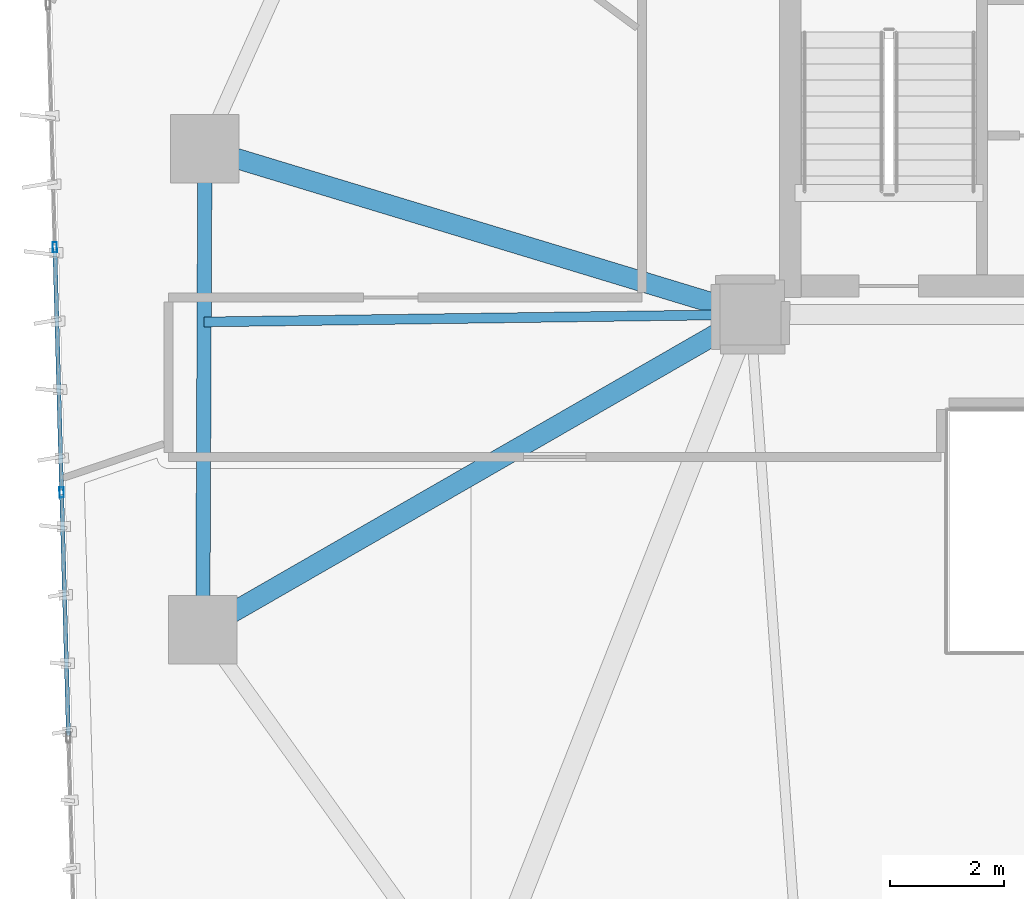
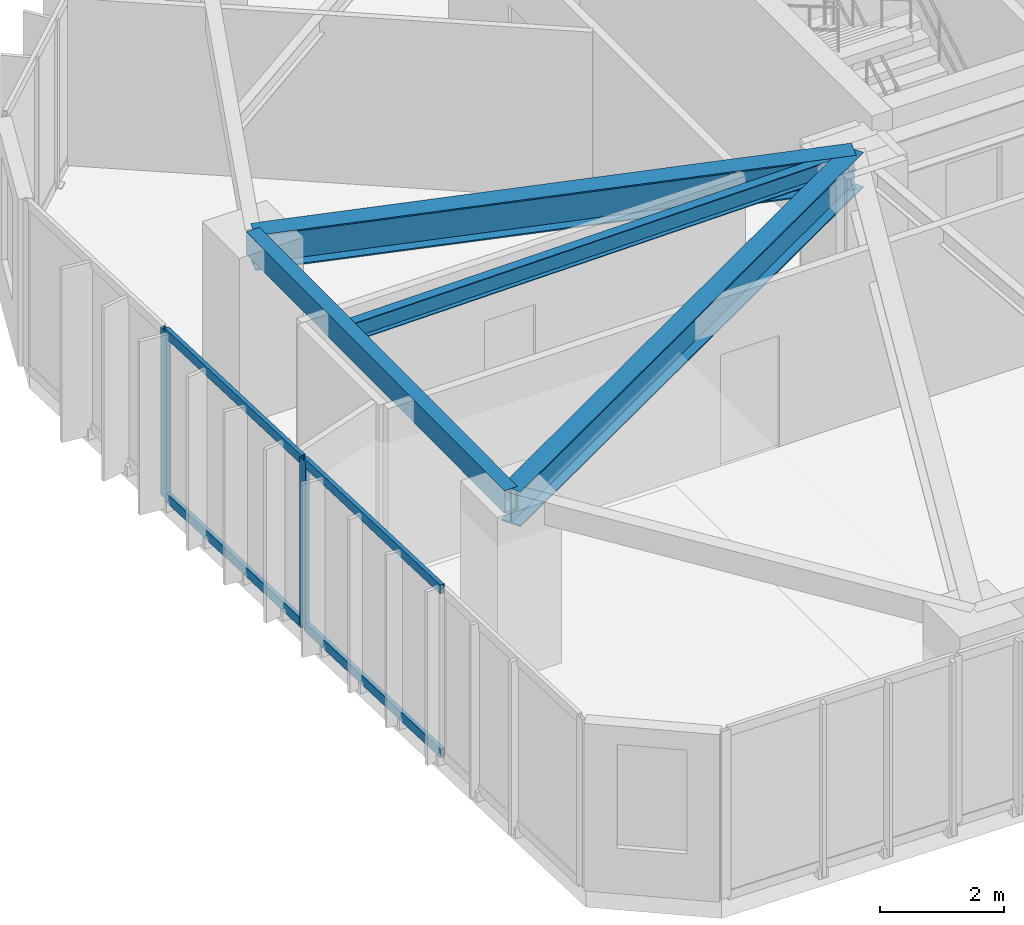
# One storey, part 4 of 22: 6 members, 4 beams, 1 element without a shape of its own.
"""IFC4 building model written with IfcOpenShell, lengths in metres."""

from ifc_helpers import new_model, si_unit, direction, frame, origin, origin_2d, place, context, subcontext, project, spatial, hollow_rectangle, i_section, extrude, source, transform, mapped, material, layer, layer_set, material_profile, profile_set, type_object, type_shapes, element, aggregate, save


model = new_model("IFC4")

# Units and contexts
model_context = context("Model", 3, precision=1e-05, world=origin(), true_north=direction((0.0, 1.0)))
body_context = subcontext(model_context, "Body", "Model", "MODEL_VIEW")
ifc_project = project(units=[si_unit("LENGTHUNIT", "METRE"), si_unit("AREAUNIT", "SQUARE_METRE"), si_unit("VOLUMEUNIT", "CUBIC_METRE"), si_unit("PLANEANGLEUNIT", "RADIAN"), si_unit("MASSUNIT", "GRAM", prefix="KILO")], contexts=[model_context])

# Site, building, storey
site_placement = place(None, origin())
site = spatial("IfcSite", under=ifc_project, at=site_placement, CompositionType="ELEMENT")
building_placement = place(site_placement, origin())
building = spatial("IfcBuilding", under=site, at=building_placement, Name="Talar Marvaseh", CompositionType="ELEMENT")
storey_placement = place(building_placement, frame((0.0, 0.0, 89.39990234375)))
storey = spatial("IfcBuildingStorey", under=building, at=storey_placement, Name="L22", CompositionType="ELEMENT", Elevation=89.39990234375)

# Beams
ifc_material_1 = material(Name="Steel S355", Category="steel")
ifc_material_profile_1 = material_profile(ifc_material_1, hollow_rectangle(XDim=0.25, YDim=0.449951171875, WallThickness=0.01611328125, at=origin_2d()), Name="RHS450x250x16")
ifc_profile_set_1 = profile_set([ifc_material_profile_1], Name="Steel S355")
beam_type_1 = type_object("IfcBeamType", Name="Zone 2 Perimeter Spandrel Beam RHS450x250x16", PredefinedType="SPANDREL", material=ifc_profile_set_1)
beam_1_placement = place(storey_placement, frame((9.10107421875, 19.97705078125, 3.085205078125), z_axis=(0.004375628226, 0.999990426893, 0.0), x_axis=(-0.999990426893, 0.004375628226, 0.0)))
element("IfcBeam", 1, at=beam_1_placement, inside=storey, type_object=beam_type_1, Name="L22 Zone 2 Perimeter Spandrel Beam RHS450x250x16", PredefinedType="SPANDREL", context=body_context, shape_type="SweptSolid", body=[
    extrude(hollow_rectangle(XDim=0.25, YDim=0.449951171875, WallThickness=0.01611328125, at=origin_2d()), origin(), (0.0, 0.0, 1.0), 8.425048828125),
])
ifc_material_profile_2 = material_profile(ifc_material_1, i_section(OverallWidth=0.35498046875, OverallDepth=0.695068359375, WebThickness=0.015380859375, FlangeThickness=0.02490234375, at=origin_2d()), Name="W690x217")
ifc_profile_set_2 = profile_set([ifc_material_profile_2], Name="Steel S355")
beam_type_2 = type_object("IfcBeamType", Name="Zone 2 Radial Floor Girder W690x217", PredefinedType="BEAM", material=ifc_profile_set_2)
beam_2_placement = place(storey_placement, frame((9.10107421875, 19.97705078125, 2.962646484375), z_axis=(0.866765990926, 0.498715065919, 0.0), x_axis=(-0.498715065919, 0.866765990926, 0.0)))
element("IfcBeam", 2, at=beam_2_placement, inside=storey, type_object=beam_type_2, Name="L22 Zone 2 Radial Floor Girder W690x217", PredefinedType="BEAM", context=body_context, shape_type="SweptSolid", body=[
    extrude(i_section(OverallWidth=0.35498046875, OverallDepth=0.695068359375, WebThickness=0.015380859375, FlangeThickness=0.02490234375, at=origin_2d()), origin(), (0.0, 0.0, 1.0), 11.074462890625),
])
beam_3_placement = place(storey_placement, frame((9.137939453125, 28.402099609375, 2.962646484375), z_axis=(0.956898764921, -0.290421682546, 0.0), x_axis=(0.290421682546, 0.956898764921, 0.0)))
element("IfcBeam", 3, at=beam_3_placement, inside=storey, type_object=beam_type_2, Name="L22 Zone 2 Radial Floor Girder W690x217", PredefinedType="BEAM", context=body_context, shape_type="SweptSolid", body=[
    extrude(i_section(OverallWidth=0.35498046875, OverallDepth=0.695068359375, WebThickness=0.015380859375, FlangeThickness=0.02490234375, at=origin_2d()), origin(), (0.0, 0.0, 1.0), 9.99267578125),
])
ifc_material_profile_3 = material_profile(ifc_material_1, i_section(OverallWidth=0.172119140625, OverallDepth=0.35791015625, WebThickness=0.0078125, FlangeThickness=0.01318359375, at=origin_2d()), Name="W360x57")
ifc_profile_set_3 = profile_set([ifc_material_profile_3], Name="Steel S355")
beam_type_3 = type_object("IfcBeamType", Name="Zone 2 Secondary Floor Joist W360x57", PredefinedType="JOIST", material=ifc_profile_set_3)
beam_4_placement = place(storey_placement, frame((9.124755859375, 25.368896484375, 3.131103515625), z_axis=(0.999906277829, 0.013690710637, 0.0), x_axis=(-0.013690710637, 0.999906277829, 0.0)))
element("IfcBeam", 4, at=beam_4_placement, inside=storey, type_object=beam_type_3, Name="L22 Zone 2 Secondary Floor Joist W360x57", PredefinedType="JOIST", context=body_context, shape_type="SweptSolid", body=[
    extrude(i_section(OverallWidth=0.172119140625, OverallDepth=0.35791015625, WebThickness=0.0078125, FlangeThickness=0.01318359375, at=origin_2d()), origin(), (0.0, 0.0, 1.0), 9.576171875),
])

# Curtain wall, members
ifc_material_2 = material(Name="Architectural Aluminium", Category="aluminium")
ifc_layer = layer(ifc_material_2, 0.199951171875)
ifc_layer_set = layer_set([ifc_layer], Name="Architectural Aluminium")
curtain_wall_type = type_object("IfcCurtainWallType", Name="Unitised Acoustic Library Curtain Wall Z2", PredefinedType="NOTDEFINED", material=ifc_layer_set)
curtain_wall_placement = place(storey_placement, origin())
curtain_wall = element("IfcCurtainWall", 5, at=curtain_wall_placement, inside=storey, type_object=curtain_wall_type, Name="L22 Unitised Acoustic Library Curtain Wall Z2", PredefinedType="NOTDEFINED")
ifc_material_profile_4 = material_profile(ifc_material_2, hollow_rectangle(XDim=0.074951171875, YDim=0.179931640625, WallThickness=0.0048828125, at=origin_2d()), Name="RHS180x75x5")
ifc_profile_set_4 = profile_set([ifc_material_profile_4], Name="Architectural Aluminium")
member_type_1 = type_object("IfcMemberType", Name="Unitised Curtain Wall Standard Mullion RHS180x75x5", PredefinedType="MULLION", material=ifc_profile_set_4)
shared_shape_1 = source(origin(), body_context, "Body", "SweptSolid", [
    extrude(hollow_rectangle(XDim=0.074951171875, YDim=0.179931640625, WallThickness=0.0048828125, at=origin_2d()), origin(), (0.0, 0.0, 1.0), 3.31005859375),
])
type_shapes(member_type_1, [shared_shape_1])
member_1_placement = place(storey_placement, frame((6.62744140625, 22.381591796875, 0.0), z_axis=(0.0, 0.0, 1.0), x_axis=(-0.999611927565, -0.027856673719, 0.0)))
member_1 = element("IfcMember", 6, at=member_1_placement, type_object=member_type_1, Name="CW-Z2 mullion 3", PredefinedType="MULLION", context=body_context, shape_type="MappedRepresentation", body=[
    mapped(shared_shape_1, transform((0.0, 0.0, 0.0), x_axis=(1.0, 0.0, 0.0), y_axis=(0.0, 1.0, 0.0), z_axis=(0.0, 0.0, 1.0), scale=1.0)),
])
member_2_placement = place(storey_placement, frame((6.5078125, 26.677978515625, 0.0), z_axis=(0.0, 0.0, 1.0), x_axis=(-0.999611927565, -0.027856673719, 0.0)))
member_2 = element("IfcMember", 7, at=member_2_placement, type_object=member_type_1, Name="CW-Z2 mullion 4", PredefinedType="MULLION", context=body_context, shape_type="MappedRepresentation", body=[
    mapped(shared_shape_1, transform((0.0, 0.0, 0.0), x_axis=(1.0, 0.0, 0.0), y_axis=(0.0, 1.0, 0.0), z_axis=(0.0, 0.0, 1.0), scale=1.0)),
])
ifc_material_profile_5 = material_profile(ifc_material_2, hollow_rectangle(XDim=0.074951171875, YDim=0.179931640625, WallThickness=0.0048828125, at=origin_2d()), Name="RHS180x75x5")
ifc_profile_set_5 = profile_set([ifc_material_profile_5], Name="Architectural Aluminium")
member_type_2 = type_object("IfcMemberType", Name="Unitised Curtain Wall Transom RHS180x75x5", PredefinedType="USERDEFINED", material=ifc_profile_set_5)
shared_shape_2 = source(origin(), body_context, "Body", "SweptSolid", [
    extrude(hollow_rectangle(XDim=0.074951171875, YDim=0.179931640625, WallThickness=0.0048828125, at=origin_2d()), origin(), (0.0, 0.0, 1.0), 4.22314453125),
])
member_3_placement = place(storey_placement, frame((6.746337890625, 18.122802734375, 0.03759765625), z_axis=(-0.027864949275, 0.999611696911, 0.0), x_axis=(-0.999611696911, -0.027864949275, 0.0)))
member_3 = element("IfcMember", 8, at=member_3_placement, type_object=member_type_2, Name="CW-Z2 transom 2.1", ObjectType="TRANSOM", PredefinedType="USERDEFINED", context=body_context, shape_type="MappedRepresentation", body=[
    mapped(shared_shape_2, transform((0.0, 0.0, 0.0), x_axis=(1.0, 0.0, 0.0), y_axis=(0.0, 1.0, 0.0), z_axis=(0.0, 0.0, 1.0), scale=1.0)),
])
member_4_placement = place(storey_placement, frame((6.746337890625, 18.122802734375, 3.272705078125), z_axis=(-0.027864949275, 0.999611696911, 0.0), x_axis=(-0.999611696911, -0.027864949275, 0.0)))
member_4 = element("IfcMember", 9, at=member_4_placement, type_object=member_type_2, Name="CW-Z2 transom 2.2", ObjectType="TRANSOM", PredefinedType="USERDEFINED", context=body_context, shape_type="MappedRepresentation", body=[
    mapped(shared_shape_2, transform((0.0, 0.0, 0.0), x_axis=(1.0, 0.0, 0.0), y_axis=(0.0, 1.0, 0.0), z_axis=(0.0, 0.0, 1.0), scale=1.0)),
])
shared_shape_3 = source(origin(), body_context, "Body", "SweptSolid", [
    extrude(hollow_rectangle(XDim=0.074951171875, YDim=0.179931640625, WallThickness=0.0048828125, at=origin_2d()), origin(), (0.0, 0.0, 1.0), 4.222900390625),
])
type_shapes(member_type_2, [shared_shape_2, shared_shape_3])
member_5_placement = place(storey_placement, frame((6.62646484375, 22.419189453125, 0.03759765625), z_axis=(-0.027866559646, 0.99961165202, 0.0), x_axis=(-0.99961165202, -0.027866559646, 0.0)))
member_5 = element("IfcMember", 10, at=member_5_placement, type_object=member_type_2, Name="CW-Z2 transom 3.1", ObjectType="TRANSOM", PredefinedType="USERDEFINED", context=body_context, shape_type="MappedRepresentation", body=[
    mapped(shared_shape_3, transform((0.0, 0.0, 0.0), x_axis=(1.0, 0.0, 0.0), y_axis=(0.0, 1.0, 0.0), z_axis=(0.0, 0.0, 1.0), scale=1.0)),
])
member_6_placement = place(storey_placement, frame((6.62646484375, 22.419189453125, 3.272705078125), z_axis=(-0.027866559646, 0.99961165202, 0.0), x_axis=(-0.99961165202, -0.027866559646, 0.0)))
member_6 = element("IfcMember", 11, at=member_6_placement, type_object=member_type_2, Name="CW-Z2 transom 3.2", ObjectType="TRANSOM", PredefinedType="USERDEFINED", context=body_context, shape_type="MappedRepresentation", body=[
    mapped(shared_shape_3, transform((0.0, 0.0, 0.0), x_axis=(1.0, 0.0, 0.0), y_axis=(0.0, 1.0, 0.0), z_axis=(0.0, 0.0, 1.0), scale=1.0)),
])
aggregate(curtain_wall, [member_1, member_2, member_3, member_4, member_5, member_6])

save(model, "model.ifc")
